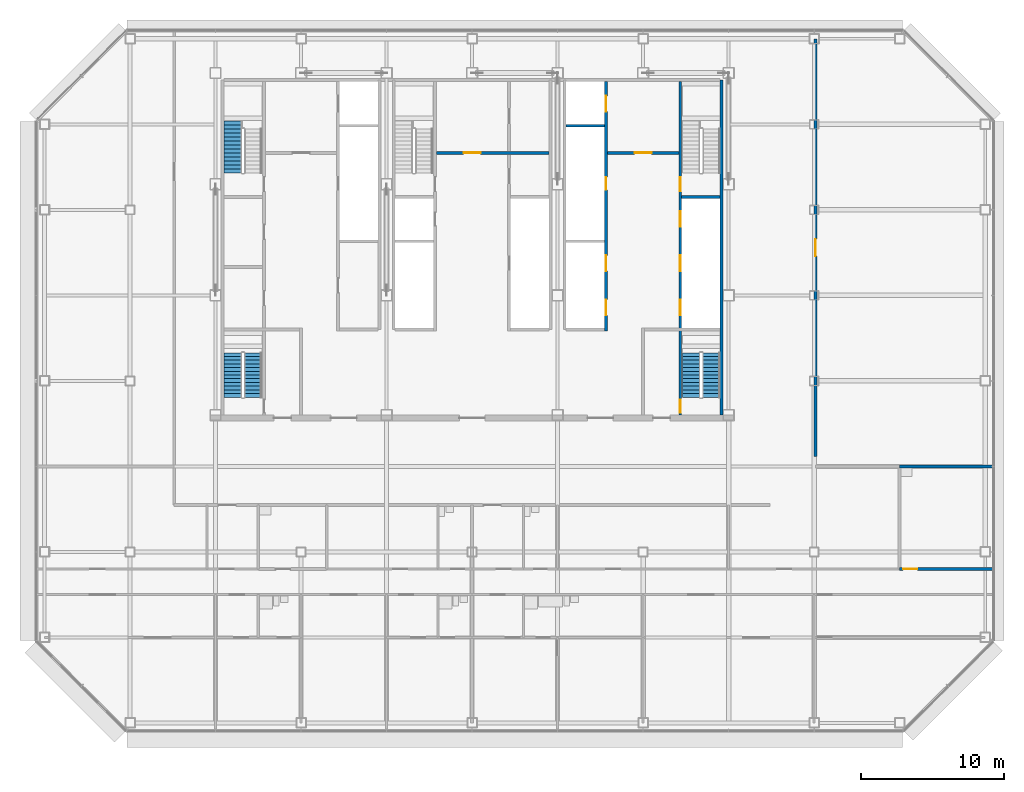
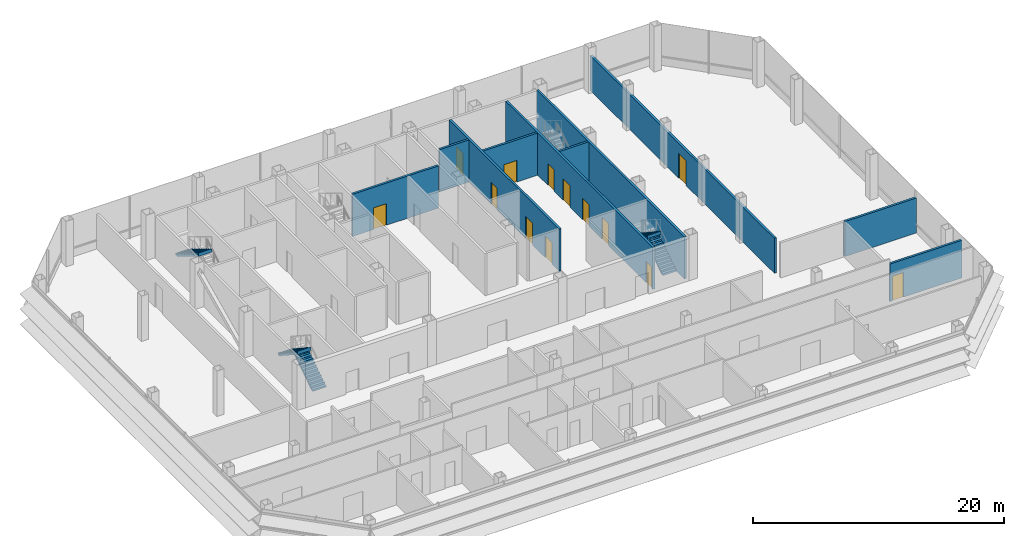
# One storey, part 22 of 26: 13 doors, 10 walls, 5 stair flights, 13 openings, 3 elements without a shape of their own.
"""IFC4 building model written with IfcOpenShell, lengths in metres."""

from ifc_helpers import new_model, si_unit, direction, frame, frame_2d, origin, place, context, subcontext, project, spatial, polyline, rectangle, outline, extrude, material, layer, layer_set, type_object, element, fill, aggregate, save


model = new_model("IFC4")

# Units and contexts
model_context = context("Model", 3, precision=1e-05, world=origin(), true_north=direction((0.0, 1.0)))
body_context = subcontext(model_context, "Body", "Model", "MODEL_VIEW")
ifc_project = project(units=[si_unit("LENGTHUNIT", "METRE"), si_unit("AREAUNIT", "SQUARE_METRE"), si_unit("VOLUMEUNIT", "CUBIC_METRE"), si_unit("PLANEANGLEUNIT", "RADIAN"), si_unit("MASSUNIT", "GRAM", prefix="KILO")], contexts=[model_context])

# Site, building, storey
site_placement = place(None, origin())
site = spatial("IfcSite", under=ifc_project, at=site_placement, CompositionType="ELEMENT")
building_placement = place(site_placement, origin())
building = spatial("IfcBuilding", under=site, at=building_placement, Name="Sorahane Residences", CompositionType="ELEMENT")
storey_placement = place(building_placement, frame((0.0, 0.0, 181.60009765625)))
storey = spatial("IfcBuildingStorey", under=building, at=storey_placement, Name="L42", CompositionType="ELEMENT", Elevation=181.60009765625)

# Wall
ifc_material_1 = material(Name="Concrete C30", Category="concrete")
ifc_layer_1 = layer(ifc_material_1, 0.199951171875)
ifc_layer_set_1 = layer_set([ifc_layer_1], Name="Core face wall 200 EI 180")
wall_type_1 = type_object("IfcWallType", Name="Core face wall 200 EI 180", PredefinedType="SOLIDWALL", material=ifc_layer_set_1)
wall_1_placement = place(storey_placement, frame((41.5, 21.60009765625, 0.0), z_axis=(0.0, 0.0, 1.0), x_axis=(0.0, 1.0, 0.0)))
element("IfcWall", 1, at=wall_1_placement, inside=storey, type_object=wall_type_1, Name="L42 core face wall", PredefinedType="SOLIDWALL", context=body_context, shape_type="SweptSolid", body=[
    extrude(rectangle(XDim=23.5, YDim=0.199951171875, at=frame_2d((11.75, 0.0))), origin(), (0.0, 0.0, 1.0), 4.099853515625),
])

# Wall, opening, door
ifc_material_2 = material(Name="Concrete blockwork C20 wall", Category="masonry")
ifc_layer_2 = layer(ifc_material_2, 0.199951171875)
ifc_layer_set_2 = layer_set([ifc_layer_2], Name="Corridor wall 200 EI 120")
wall_type_2 = type_object("IfcWallType", Name="Corridor wall 200 EI 120", PredefinedType="SOLIDWALL", material=ifc_layer_set_2)
wall_2_placement = place(storey_placement, frame((48.10009765625, 18.699951171875, 0.0), z_axis=(0.0, 0.0, 1.0), x_axis=(0.0, 1.0, 0.0)))
wall_2 = element("IfcWall", 2, at=wall_2_placement, inside=storey, type_object=wall_type_2, Name="L42 corridor wall", PredefinedType="SOLIDWALL", context=body_context, shape_type="SweptSolid", body=[
    extrude(rectangle(XDim=29.300048828125, YDim=0.199951171875, at=frame_2d((14.64990234375, 0.0))), origin(), (0.0, 0.0, 1.0), 3.39990234375),
])
opening_1_placement = place(wall_2_placement, frame((14.050048828125, 0.0, 0.0)))
opening_1 = element("IfcOpeningElement", 3, at=opening_1_placement, cuts=wall_2, Name="Opening L42-31", PredefinedType="OPENING", context=body_context, shape_type="SweptSolid", body=[
    extrude(rectangle(XDim=1.199951171875, YDim=2.39990234375, at=frame_2d((0.60009765625, 1.199951171875))), frame((0.0, 0.10986328125, 0.0), z_axis=(0.0, -1.0, 0.0), x_axis=(1.0, 0.0, 0.0)), (0.0, 0.0, 1.0), 0.219970703125),
])
ifc_material_3 = material(Name="Steel", Category="steel")
door_type_1 = type_object("IfcDoorType", Name="Lobby door 1200x2400 FD60", OperationType="NOTDEFINED", PredefinedType="DOOR", material=ifc_material_3)
door_1_placement = place(opening_1_placement, frame((1.199951171875, 0.0, 0.0), z_axis=(0.0, 0.0, 1.0), x_axis=(-1.0, 0.0, 0.0)))
door_1 = element("IfcDoor", 4, at=door_1_placement, inside=storey, type_object=door_type_1, Name="Lobby door L42-31", OperationType="SINGLE_SWING_RIGHT", OverallHeight=2.39990234375, OverallWidth=1.199951171875, PredefinedType="DOOR", context=body_context, shape_type="SweptSolid", body=[
    extrude(rectangle(XDim=1.199951171875, YDim=2.39990234375, at=frame_2d((0.60009765625, 1.199951171875))), frame((0.0, 0.02490234375, 0.0), z_axis=(0.0, -1.0, 0.0), x_axis=(1.0, 0.0, 0.0)), (0.0, 0.0, 1.0), 0.050048828125),
])
fill(opening_1, door_1)

ifc_material_4 = material(Name="Concrete C30", Category="concrete")
ifc_layer_3 = layer(ifc_material_4, 0.199951171875)
ifc_layer_set_3 = layer_set([ifc_layer_3], Name="Front room wall 200 EI 120")
wall_type_3 = type_object("IfcWallType", Name="Front room wall 200 EI 120", PredefinedType="PARTITIONING", material=ifc_layer_set_3)
wall_3_placement = place(storey_placement, frame((21.5, 40.0, 0.0), z_axis=(0.0, 0.0, 1.0), x_axis=(1.0, 0.0, 0.0)))
wall_3 = element("IfcWall", 5, at=wall_3_placement, inside=storey, type_object=wall_type_3, Name="L42 front room wall", PredefinedType="PARTITIONING", context=body_context, shape_type="SweptSolid", body=[
    extrude(rectangle(XDim=7.89990234375, YDim=0.199951171875, at=frame_2d((3.949951171875, 0.0))), origin(), (0.0, 0.0, 1.0), 4.099853515625),
])
opening_2_placement = place(wall_3_placement, frame((1.89990234375, 0.0, 0.0)))
opening_2 = element("IfcOpeningElement", 6, at=opening_2_placement, cuts=wall_3, Name="Opening L42-C07", PredefinedType="OPENING", context=body_context, shape_type="SweptSolid", body=[
    extrude(rectangle(XDim=1.199951171875, YDim=2.10009765625, at=frame_2d((0.60009765625, 1.050048828125))), frame((0.0, 0.10986328125, 0.0), z_axis=(0.0, -1.0, 0.0), x_axis=(1.0, 0.0, 0.0)), (0.0, 0.0, 1.0), 0.219970703125),
])
ifc_material_5 = material(Name="Steel", Category="steel")
door_type_2 = type_object("IfcDoorType", Name="Front room door 1200x2100 FD120", OperationType="NOTDEFINED", PredefinedType="DOOR", material=ifc_material_5)
door_2_placement = place(opening_2_placement, frame((1.199951171875, 0.0, 0.0), z_axis=(0.0, 0.0, 1.0), x_axis=(-1.0, 0.0, 0.0)))
door_2 = element("IfcDoor", 7, at=door_2_placement, inside=storey, type_object=door_type_2, Name="Front room door Stair S3 vestibule L42", OperationType="DOUBLE_DOOR_SINGLE_SWING", OverallHeight=2.10009765625, OverallWidth=1.199951171875, PredefinedType="DOOR", context=body_context, shape_type="SweptSolid", body=[
    extrude(rectangle(XDim=1.199951171875, YDim=2.10009765625, at=frame_2d((0.60009765625, 1.050048828125))), frame((0.0, 0.02490234375, 0.0), z_axis=(0.0, -1.0, 0.0), x_axis=(1.0, 0.0, 0.0)), (0.0, 0.0, 1.0), 0.050048828125),
])
fill(opening_2, door_2)

wall_4_placement = place(storey_placement, frame((33.5, 40.0, 0.0), z_axis=(0.0, 0.0, 1.0), x_axis=(1.0, 0.0, 0.0)))
wall_4 = element("IfcWall", 8, at=wall_4_placement, inside=storey, type_object=wall_type_3, Name="L42 front room wall", PredefinedType="PARTITIONING", context=body_context, shape_type="SweptSolid", body=[
    extrude(rectangle(XDim=5.0, YDim=0.199951171875, at=frame_2d((2.5, 0.0))), origin(), (0.0, 0.0, 1.0), 4.099853515625),
])
opening_3_placement = place(wall_4_placement, frame((1.89990234375, 0.0, 0.0)))
opening_3 = element("IfcOpeningElement", 9, at=opening_3_placement, cuts=wall_4, Name="Opening L42-C08", PredefinedType="OPENING", context=body_context, shape_type="SweptSolid", body=[
    extrude(rectangle(XDim=1.199951171875, YDim=2.10009765625, at=frame_2d((0.60009765625, 1.050048828125))), frame((0.0, 0.10986328125, 0.0), z_axis=(0.0, -1.0, 0.0), x_axis=(1.0, 0.0, 0.0)), (0.0, 0.0, 1.0), 0.219970703125),
])
door_3_placement = place(opening_3_placement, frame((1.199951171875, 0.0, 0.0), z_axis=(0.0, 0.0, 1.0), x_axis=(-1.0, 0.0, 0.0)))
door_3 = element("IfcDoor", 10, at=door_3_placement, inside=storey, type_object=door_type_2, Name="Front room door Firefighting lobby FF2 front room L42", OperationType="DOUBLE_DOOR_SINGLE_SWING", OverallHeight=2.10009765625, OverallWidth=1.199951171875, PredefinedType="DOOR", context=body_context, shape_type="SweptSolid", body=[
    extrude(rectangle(XDim=1.199951171875, YDim=2.10009765625, at=frame_2d((0.60009765625, 1.050048828125))), frame((0.0, 0.02490234375, 0.0), z_axis=(0.0, -1.0, 0.0), x_axis=(1.0, 0.0, 0.0)), (0.0, 0.0, 1.0), 0.050048828125),
])
fill(opening_3, door_3)

ifc_material_6 = material(Name="Concrete blockwork C20 wall", Category="masonry")
ifc_layer_4 = layer(ifc_material_6, 0.199951171875)
ifc_layer_set_4 = layer_set([ifc_layer_4], Name="Kitchen wall 200 EI 180")
wall_type_4 = type_object("IfcWallType", Name="Kitchen wall 200 EI 180", PredefinedType="SOLIDWALL", material=ifc_layer_set_4)
wall_5_placement = place(storey_placement, frame((54.0, 10.800048828125, 0.0), z_axis=(0.0, 0.0, 1.0), x_axis=(1.0, 0.0, 0.0)))
wall_5 = element("IfcWall", 11, at=wall_5_placement, inside=storey, type_object=wall_type_4, Name="L42 kitchen wall", PredefinedType="SOLIDWALL", context=body_context, shape_type="SweptSolid", body=[
    extrude(rectangle(XDim=6.60009765625, YDim=0.199951171875, at=frame_2d((3.300048828125, 0.0))), origin(), (0.0, 0.0, 1.0), 3.64990234375),
])
opening_4_placement = place(wall_5_placement, frame((0.25, 0.0, 0.0)))
opening_4 = element("IfcOpeningElement", 12, at=opening_4_placement, cuts=wall_5, Name="Opening L42-19", PredefinedType="OPENING", context=body_context, shape_type="SweptSolid", body=[
    extrude(rectangle(XDim=1.0, YDim=2.39990234375, at=frame_2d((0.5, 1.199951171875))), frame((0.0, 0.10986328125, 0.0), z_axis=(0.0, -1.0, 0.0), x_axis=(1.0, 0.0, 0.0)), (0.0, 0.0, 1.0), 0.219970703125),
])
ifc_material_7 = material(Name="Steel", Category="steel")
door_type_3 = type_object("IfcDoorType", Name="Kitchen door 1000x2400 FD120", OperationType="NOTDEFINED", PredefinedType="DOOR", material=ifc_material_7)
door_4_placement = place(opening_4_placement, origin())
door_4 = element("IfcDoor", 13, at=door_4_placement, inside=storey, type_object=door_type_3, Name="Kitchen door L42-19", OperationType="SINGLE_SWING_LEFT", OverallHeight=2.39990234375, OverallWidth=1.0, PredefinedType="DOOR", context=body_context, shape_type="SweptSolid", body=[
    extrude(rectangle(XDim=1.0, YDim=2.39990234375, at=frame_2d((0.5, 1.199951171875))), frame((0.0, 0.02490234375, 0.0), z_axis=(0.0, -1.0, 0.0), x_axis=(1.0, 0.0, 0.0)), (0.0, 0.0, 1.0), 0.050048828125),
])
fill(opening_4, door_4)

# Wall
wall_6_placement = place(storey_placement, frame((54.0, 18.0, 0.0), z_axis=(0.0, 0.0, 1.0), x_axis=(1.0, 0.0, 0.0)))
element("IfcWall", 14, at=wall_6_placement, inside=storey, type_object=wall_type_4, Name="L42 kitchen wall", PredefinedType="SOLIDWALL", context=body_context, shape_type="SweptSolid", body=[
    extrude(rectangle(XDim=6.60009765625, YDim=0.199951171875, at=frame_2d((3.300048828125, 0.0))), origin(), (0.0, 0.0, 1.0), 3.39990234375),
])

# Wall, openings, doors
ifc_material_8 = material(Name="Concrete C30", Category="concrete")
ifc_layer_5 = layer(ifc_material_8, 0.199951171875)
ifc_layer_set_5 = layer_set([ifc_layer_5], Name="Lift shaft wall 200 EI 120")
wall_type_5 = type_object("IfcWallType", Name="Lift shaft wall 200 EI 120", PredefinedType="SOLIDWALL", material=ifc_layer_set_5)
wall_7_placement = place(storey_placement, frame((33.39990234375, 27.5, 0.0), z_axis=(0.0, 0.0, 1.0), x_axis=(0.0, 1.0, 0.0)))
wall_7 = element("IfcWall", 15, at=wall_7_placement, inside=storey, type_object=wall_type_5, Name="L42 lift shaft wall", PredefinedType="SOLIDWALL", context=body_context, shape_type="SweptSolid", body=[
    extrude(rectangle(XDim=17.5, YDim=0.199951171875, at=frame_2d((8.75, 0.0))), origin(), (0.0, 0.0, 1.0), 4.099853515625),
])
opening_5_placement = place(wall_7_placement, frame((1.10009765625, 0.0, 0.0)))
opening_5 = element("IfcOpeningElement", 16, at=opening_5_placement, cuts=wall_7, Name="Opening L42-C12", PredefinedType="OPENING", context=body_context, shape_type="SweptSolid", body=[
    extrude(rectangle(XDim=1.10009765625, YDim=2.10009765625, at=frame_2d((0.550048828125, 1.050048828125))), frame((0.0, 0.10986328125, 0.0), z_axis=(0.0, -1.0, 0.0), x_axis=(1.0, 0.0, 0.0)), (0.0, 0.0, 1.0), 0.219970703125),
])
opening_6_placement = place(wall_7_placement, frame((4.199951171875, 0.0, 0.0)))
opening_6 = element("IfcOpeningElement", 17, at=opening_6_placement, cuts=wall_7, Name="Opening L42-C13", PredefinedType="OPENING", context=body_context, shape_type="SweptSolid", body=[
    extrude(rectangle(XDim=1.10009765625, YDim=2.10009765625, at=frame_2d((0.550048828125, 1.050048828125))), frame((0.0, 0.10986328125, 0.0), z_axis=(0.0, -1.0, 0.0), x_axis=(1.0, 0.0, 0.0)), (0.0, 0.0, 1.0), 0.219970703125),
])
opening_7_placement = place(wall_7_placement, frame((15.39990234375, 0.0, 0.0)))
opening_7 = element("IfcOpeningElement", 18, at=opening_7_placement, cuts=wall_7, Name="Opening L42-C14", PredefinedType="OPENING", context=body_context, shape_type="SweptSolid", body=[
    extrude(rectangle(XDim=1.10009765625, YDim=2.10009765625, at=frame_2d((0.550048828125, 1.050048828125))), frame((0.0, 0.10986328125, 0.0), z_axis=(0.0, -1.0, 0.0), x_axis=(1.0, 0.0, 0.0)), (0.0, 0.0, 1.0), 0.219970703125),
])
opening_8_placement = place(wall_7_placement, frame((9.89990234375, 0.0, 0.0)))
opening_8 = element("IfcOpeningElement", 19, at=opening_8_placement, cuts=wall_7, Name="Opening L42-C25", PredefinedType="OPENING", context=body_context, shape_type="SweptSolid", body=[
    extrude(rectangle(XDim=0.89990234375, YDim=2.10009765625, at=frame_2d((0.449951171875, 1.050048828125))), frame((0.0, 0.10986328125, 0.0), z_axis=(0.0, -1.0, 0.0), x_axis=(1.0, 0.0, 0.0)), (0.0, 0.0, 1.0), 0.219970703125),
])
ifc_material_9 = material(Name="Aluminium and stainless steel", Category="steel")
door_type_4 = type_object("IfcDoorType", Name="Lift landing door 1100x2100 E 60", OperationType="NOTDEFINED", PredefinedType="DOOR", material=ifc_material_9)
door_5_placement = place(opening_5_placement, origin())
door_5 = element("IfcDoor", 20, at=door_5_placement, inside=storey, type_object=door_type_4, Name="Lift landing door HR4 L42", OperationType="DOUBLE_DOOR_SLIDING", OverallHeight=2.10009765625, OverallWidth=1.10009765625, PredefinedType="DOOR", context=body_context, shape_type="SweptSolid", body=[
    extrude(rectangle(XDim=1.10009765625, YDim=2.10009765625, at=frame_2d((0.550048828125, 1.050048828125))), frame((0.0, 0.02490234375, 0.0), z_axis=(0.0, -1.0, 0.0), x_axis=(1.0, 0.0, 0.0)), (0.0, 0.0, 1.0), 0.050048828125),
])
fill(opening_5, door_5)
door_6_placement = place(opening_6_placement, origin())
door_6 = element("IfcDoor", 21, at=door_6_placement, inside=storey, type_object=door_type_4, Name="Lift landing door HR5 L42", OperationType="DOUBLE_DOOR_SLIDING", OverallHeight=2.10009765625, OverallWidth=1.10009765625, PredefinedType="DOOR", context=body_context, shape_type="SweptSolid", body=[
    extrude(rectangle(XDim=1.10009765625, YDim=2.10009765625, at=frame_2d((0.550048828125, 1.050048828125))), frame((0.0, 0.02490234375, 0.0), z_axis=(0.0, -1.0, 0.0), x_axis=(1.0, 0.0, 0.0)), (0.0, 0.0, 1.0), 0.050048828125),
])
fill(opening_6, door_6)
door_7_placement = place(opening_7_placement, origin())
door_7 = element("IfcDoor", 22, at=door_7_placement, inside=storey, type_object=door_type_4, Name="Lift landing door FF2 L42", OperationType="DOUBLE_DOOR_SLIDING", OverallHeight=2.10009765625, OverallWidth=1.10009765625, PredefinedType="DOOR", context=body_context, shape_type="SweptSolid", body=[
    extrude(rectangle(XDim=1.10009765625, YDim=2.10009765625, at=frame_2d((0.550048828125, 1.050048828125))), frame((0.0, 0.02490234375, 0.0), z_axis=(0.0, -1.0, 0.0), x_axis=(1.0, 0.0, 0.0)), (0.0, 0.0, 1.0), 0.050048828125),
])
fill(opening_7, door_7)
ifc_material_10 = material(Name="Steel", Category="steel")
door_type_5 = type_object("IfcDoorType", Name="Riser door 900x2100 FD120", OperationType="NOTDEFINED", PredefinedType="DOOR", material=ifc_material_10)
door_8_placement = place(opening_8_placement, frame((0.89990234375, 0.0, 0.0), z_axis=(0.0, 0.0, 1.0), x_axis=(-1.0, 0.0, 0.0)))
door_8 = element("IfcDoor", 23, at=door_8_placement, inside=storey, type_object=door_type_5, Name="Riser door R2 L42", OperationType="SINGLE_SWING_LEFT", OverallHeight=2.10009765625, OverallWidth=0.89990234375, PredefinedType="DOOR", context=body_context, shape_type="SweptSolid", body=[
    extrude(rectangle(XDim=0.89990234375, YDim=2.10009765625, at=frame_2d((0.449951171875, 1.050048828125))), frame((0.0, 0.02490234375, 0.0), z_axis=(0.0, -1.0, 0.0), x_axis=(1.0, 0.0, 0.0)), (0.0, 0.0, 1.0), 0.050048828125),
])
fill(opening_8, door_8)

# Wall
wall_8_placement = place(storey_placement, frame((30.60009765625, 41.89990234375, 0.0), z_axis=(0.0, 0.0, 1.0), x_axis=(1.0, 0.0, 0.0)))
element("IfcWall", 24, at=wall_8_placement, inside=storey, type_object=wall_type_5, Name="L42 lift shaft wall", PredefinedType="SOLIDWALL", context=body_context, shape_type="SweptSolid", body=[
    extrude(rectangle(XDim=2.699951171875, YDim=0.199951171875, at=frame_2d((1.35009765625, 0.0))), origin(), (0.0, 0.0, 1.0), 4.099853515625),
])

# Wall, openings, doors
ifc_material_11 = material(Name="Concrete C30", Category="concrete")
ifc_layer_6 = layer(ifc_material_11, 0.199951171875)
ifc_layer_set_6 = layer_set([ifc_layer_6], Name="Stair enclosure wall 200 EI 120")
wall_type_6 = type_object("IfcWallType", Name="Stair enclosure wall 200 EI 120", PredefinedType="SOLIDWALL", material=ifc_layer_set_6)
wall_9_placement = place(storey_placement, frame((38.60009765625, 21.60009765625, 0.0), z_axis=(0.0, 0.0, 1.0), x_axis=(0.0, 1.0, 0.0)))
wall_9 = element("IfcWall", 25, at=wall_9_placement, inside=storey, type_object=wall_type_6, Name="L42 stair enclosure wall", PredefinedType="SOLIDWALL", context=body_context, shape_type="SweptSolid", body=[
    extrude(rectangle(XDim=23.39990234375, YDim=0.199951171875, at=frame_2d((11.699951171875, 0.0))), origin(), (0.0, 0.0, 1.0), 4.099853515625),
])
opening_9_placement = place(wall_9_placement, frame((7.0, 0.0, 0.0)))
opening_9 = element("IfcOpeningElement", 26, at=opening_9_placement, cuts=wall_9, Name="Opening L42-C09", PredefinedType="OPENING", context=body_context, shape_type="SweptSolid", body=[
    extrude(rectangle(XDim=1.10009765625, YDim=2.10009765625, at=frame_2d((0.550048828125, 1.050048828125))), frame((0.0, 0.10986328125, 0.0), z_axis=(0.0, -1.0, 0.0), x_axis=(1.0, 0.0, 0.0)), (0.0, 0.0, 1.0), 0.219970703125),
])
opening_10_placement = place(wall_9_placement, frame((10.10009765625, 0.0, 0.0)))
opening_10 = element("IfcOpeningElement", 27, at=opening_10_placement, cuts=wall_9, Name="Opening L42-C10", PredefinedType="OPENING", context=body_context, shape_type="SweptSolid", body=[
    extrude(rectangle(XDim=1.10009765625, YDim=2.10009765625, at=frame_2d((0.550048828125, 1.050048828125))), frame((0.0, 0.10986328125, 0.0), z_axis=(0.0, -1.0, 0.0), x_axis=(1.0, 0.0, 0.0)), (0.0, 0.0, 1.0), 0.219970703125),
])
opening_11_placement = place(wall_9_placement, frame((13.199951171875, 0.0, 0.0)))
opening_11 = element("IfcOpeningElement", 28, at=opening_11_placement, cuts=wall_9, Name="Opening L42-C11", PredefinedType="OPENING", context=body_context, shape_type="SweptSolid", body=[
    extrude(rectangle(XDim=1.10009765625, YDim=2.10009765625, at=frame_2d((0.550048828125, 1.050048828125))), frame((0.0, 0.10986328125, 0.0), z_axis=(0.0, -1.0, 0.0), x_axis=(1.0, 0.0, 0.0)), (0.0, 0.0, 1.0), 0.219970703125),
])
opening_12_placement = place(wall_9_placement, frame((15.699951171875, 0.0, 0.0)))
opening_12 = element("IfcOpeningElement", 29, at=opening_12_placement, cuts=wall_9, Name="Opening L42-C20", PredefinedType="OPENING", context=body_context, shape_type="SweptSolid", body=[
    extrude(rectangle(XDim=1.0, YDim=2.10009765625, at=frame_2d((0.5, 1.050048828125))), frame((0.0, 0.10986328125, 0.0), z_axis=(0.0, -1.0, 0.0), x_axis=(1.0, 0.0, 0.0)), (0.0, 0.0, 1.0), 0.219970703125),
])
opening_13_placement = place(wall_9_placement, frame((0.175048828125, 0.0, 0.0)))
opening_13 = element("IfcOpeningElement", 30, at=opening_13_placement, cuts=wall_9, Name="Opening L42-C23", PredefinedType="OPENING", context=body_context, shape_type="SweptSolid", body=[
    extrude(rectangle(XDim=0.89990234375, YDim=2.10009765625, at=frame_2d((0.449951171875, 1.050048828125))), frame((0.0, 0.10986328125, 0.0), z_axis=(0.0, -1.0, 0.0), x_axis=(1.0, 0.0, 0.0)), (0.0, 0.0, 1.0), 0.219970703125),
])
door_9_placement = place(opening_9_placement, origin())
door_9 = element("IfcDoor", 31, at=door_9_placement, inside=storey, type_object=door_type_4, Name="Lift landing door HR1 L42", OperationType="DOUBLE_DOOR_SLIDING", OverallHeight=2.10009765625, OverallWidth=1.10009765625, PredefinedType="DOOR", context=body_context, shape_type="SweptSolid", body=[
    extrude(rectangle(XDim=1.10009765625, YDim=2.10009765625, at=frame_2d((0.550048828125, 1.050048828125))), frame((0.0, 0.02490234375, 0.0), z_axis=(0.0, -1.0, 0.0), x_axis=(1.0, 0.0, 0.0)), (0.0, 0.0, 1.0), 0.050048828125),
])
fill(opening_9, door_9)
door_10_placement = place(opening_10_placement, origin())
door_10 = element("IfcDoor", 32, at=door_10_placement, inside=storey, type_object=door_type_4, Name="Lift landing door HR2 L42", OperationType="DOUBLE_DOOR_SLIDING", OverallHeight=2.10009765625, OverallWidth=1.10009765625, PredefinedType="DOOR", context=body_context, shape_type="SweptSolid", body=[
    extrude(rectangle(XDim=1.10009765625, YDim=2.10009765625, at=frame_2d((0.550048828125, 1.050048828125))), frame((0.0, 0.02490234375, 0.0), z_axis=(0.0, -1.0, 0.0), x_axis=(1.0, 0.0, 0.0)), (0.0, 0.0, 1.0), 0.050048828125),
])
fill(opening_10, door_10)
door_11_placement = place(opening_11_placement, origin())
door_11 = element("IfcDoor", 33, at=door_11_placement, inside=storey, type_object=door_type_4, Name="Lift landing door HR3 L42", OperationType="DOUBLE_DOOR_SLIDING", OverallHeight=2.10009765625, OverallWidth=1.10009765625, PredefinedType="DOOR", context=body_context, shape_type="SweptSolid", body=[
    extrude(rectangle(XDim=1.10009765625, YDim=2.10009765625, at=frame_2d((0.550048828125, 1.050048828125))), frame((0.0, 0.02490234375, 0.0), z_axis=(0.0, -1.0, 0.0), x_axis=(1.0, 0.0, 0.0)), (0.0, 0.0, 1.0), 0.050048828125),
])
fill(opening_11, door_11)
ifc_material_12 = material(Name="Steel", Category="steel")
door_type_6 = type_object("IfcDoorType", Name="Stair door 1000x2100 FD120", OperationType="NOTDEFINED", PredefinedType="DOOR", material=ifc_material_12)
door_12_placement = place(opening_12_placement, frame((1.0, 0.0, 0.0), z_axis=(0.0, 0.0, 1.0), x_axis=(-1.0, 0.0, 0.0)))
door_12 = element("IfcDoor", 34, at=door_12_placement, inside=storey, type_object=door_type_6, Name="Stair door S2 L42", OperationType="SINGLE_SWING_LEFT", OverallHeight=2.10009765625, OverallWidth=1.0, PredefinedType="DOOR", context=body_context, shape_type="SweptSolid", body=[
    extrude(rectangle(XDim=1.0, YDim=2.10009765625, at=frame_2d((0.5, 1.050048828125))), frame((0.0, 0.02490234375, 0.0), z_axis=(0.0, -1.0, 0.0), x_axis=(1.0, 0.0, 0.0)), (0.0, 0.0, 1.0), 0.050048828125),
])
fill(opening_12, door_12)
ifc_material_13 = material(Name="Steel", Category="steel")
door_type_7 = type_object("IfcDoorType", Name="Stair door 900x2100 FD120", OperationType="NOTDEFINED", PredefinedType="DOOR", material=ifc_material_13)
door_13_placement = place(opening_13_placement, frame((0.89990234375, 0.0, 0.0), z_axis=(0.0, 0.0, 1.0), x_axis=(-1.0, 0.0, 0.0)))
door_13 = element("IfcDoor", 35, at=door_13_placement, inside=storey, type_object=door_type_7, Name="Stair door S5 L42", OperationType="SINGLE_SWING_LEFT", OverallHeight=2.10009765625, OverallWidth=0.89990234375, PredefinedType="DOOR", context=body_context, shape_type="SweptSolid", body=[
    extrude(rectangle(XDim=0.89990234375, YDim=2.10009765625, at=frame_2d((0.449951171875, 1.050048828125))), frame((0.0, 0.02490234375, 0.0), z_axis=(0.0, -1.0, 0.0), x_axis=(1.0, 0.0, 0.0)), (0.0, 0.0, 1.0), 0.050048828125),
])
fill(opening_13, door_13)

# Wall
wall_10_placement = place(storey_placement, frame((38.699951171875, 36.89990234375, 0.0), z_axis=(0.0, 0.0, 1.0), x_axis=(1.0, 0.0, 0.0)))
element("IfcWall", 36, at=wall_10_placement, inside=storey, type_object=wall_type_6, Name="L42 stair enclosure wall", PredefinedType="SOLIDWALL", context=body_context, shape_type="SweptSolid", body=[
    extrude(rectangle(XDim=2.699951171875, YDim=0.199951171875, at=frame_2d((1.35009765625, 0.0))), origin(), (0.0, 0.0, 1.0), 4.099853515625),
])

# Stair, stair flight
ifc_material_14 = material(Name="Concrete C40", Category="concrete")
stair_type = type_object("IfcStairType", Name="Dog-leg stair 1250 Concrete C40", PredefinedType="HALF_TURN_STAIR", material=ifc_material_14)
stair_1_placement = place(storey_placement, origin())
stair_1 = element("IfcStair", 37, at=stair_1_placement, inside=storey, type_object=stair_type, Name="L42 Stair S1", PredefinedType="HALF_TURN_STAIR")
ifc_material_15 = material(Name="Concrete C40", Category="concrete")
stair_flight_type = type_object("IfcStairFlightType", Name="Stair flight 1250 Concrete C40", PredefinedType="STRAIGHT", material=ifc_material_15)
stair_flight_1_placement = place(storey_placement, frame((7.22509765625, 42.239990234375, 2.03076171875), z_axis=(0.0, 0.0, 1.0), x_axis=(0.0, -1.0, 0.0)))
stair_flight_1 = element("IfcStairFlight", 38, at=stair_flight_1_placement, type_object=stair_flight_type, Name="S1 flight 2", NumberOfRisers=14, NumberOfTreads=13, PredefinedType="STRAIGHT", RiserHeight=0.169230769, TreadLength=0.28, context=body_context, shape_type="SweptSolid", body=[
    extrude(outline(polyline([(-0.00146484375, 0.0), (-0.00146484375, 0.169189453125), (0.0, 0.169189453125), (0.280029296875, 0.169189453125), (0.280029296875, 0.33837890625), (0.56005859375, 0.33837890625), (0.56005859375, 0.5078125), (0.840087890625, 0.5078125), (0.840087890625, 0.677001953125), (1.1201171875, 0.677001953125), (1.1201171875, 0.84619140625), (1.39990234375, 0.84619140625), (1.39990234375, 1.015380859375), (1.679931640625, 1.015380859375), (1.679931640625, 1.1845703125), (1.9599609375, 1.1845703125), (1.9599609375, 1.353759765625), (2.239990234375, 1.353759765625), (2.239990234375, 1.523193359375), (2.52001953125, 1.523193359375), (2.52001953125, 1.6923828125), (2.800048828125, 1.6923828125), (2.800048828125, 1.861572265625), (3.080078125, 1.861572265625), (3.080078125, 2.03076171875), (3.360107421875, 2.03076171875), (3.360107421875, 2.199951171875), (3.639892578125, 2.199951171875), (3.639892578125, 2.369140625), (3.6416015625, 2.369140625), (3.6416015625, 2.02490234375), (3.41796875, 1.889892578125), (3.194580078125, 1.7548828125), (2.97119140625, 1.619873046875), (2.747802734375, 1.48486328125), (2.524169921875, 1.349853515625), (2.30078125, 1.21484375), (2.077392578125, 1.079833984375), (1.85400390625, 0.94482421875), (1.63037109375, 0.81005859375), (1.406982421875, 0.675048828125), (1.18359375, 0.5400390625), (0.960205078125, 0.405029296875), (0.73681640625, 0.27001953125), (0.51318359375, 0.135009765625), (0.289794921875, 0.0), (-0.00146484375, 0.0)])), frame((0.0, 0.625, 0.0), z_axis=(0.0, -1.0, 0.0), x_axis=(1.0, 0.0, 0.0)), (0.0, 0.0, 1.0), 1.25),
])
aggregate(stair_1, [stair_flight_1])

# Stair, stair flights
stair_2_placement = place(storey_placement, origin())
stair_2 = element("IfcStair", 39, at=stair_2_placement, inside=storey, type_object=stair_type, Name="L42 Stair S4", PredefinedType="HALF_TURN_STAIR")
stair_flight_2_placement = place(storey_placement, frame((8.625, 22.85009765625, 0.0), z_axis=(0.0, 0.0, 1.0), x_axis=(0.0, 1.0, 0.0)))
stair_flight_2 = element("IfcStairFlight", 40, at=stair_flight_2_placement, type_object=stair_flight_type, Name="S4 flight 1", NumberOfRisers=13, NumberOfTreads=12, PredefinedType="STRAIGHT", RiserHeight=0.169230769, TreadLength=0.26, context=body_context, shape_type="SweptSolid", body=[
    extrude(outline(polyline([(-0.00146484375, 0.0), (-0.00146484375, 0.169189453125), (0.0, 0.169189453125), (0.260009765625, 0.169189453125), (0.260009765625, 0.33837890625), (0.52001953125, 0.33837890625), (0.52001953125, 0.5078125), (0.780029296875, 0.5078125), (0.780029296875, 0.677001953125), (1.0400390625, 0.677001953125), (1.0400390625, 0.84619140625), (1.300048828125, 0.84619140625), (1.300048828125, 1.015380859375), (1.56005859375, 1.015380859375), (1.56005859375, 1.1845703125), (1.820068359375, 1.1845703125), (1.820068359375, 1.353759765625), (2.080078125, 1.353759765625), (2.080078125, 1.523193359375), (2.340087890625, 1.523193359375), (2.340087890625, 1.6923828125), (2.60009765625, 1.6923828125), (2.60009765625, 1.861572265625), (2.860107421875, 1.861572265625), (2.860107421875, 2.03076171875), (3.1201171875, 2.03076171875), (3.1201171875, 2.199951171875), (3.1201171875, 1.887451171875), (2.912841796875, 1.752685546875), (2.705810546875, 1.617919921875), (2.49853515625, 1.48291015625), (2.29150390625, 1.34814453125), (2.08447265625, 1.21337890625), (1.877197265625, 1.07861328125), (1.670166015625, 0.943603515625), (1.462890625, 0.808837890625), (1.255859375, 0.674072265625), (1.048828125, 0.539306640625), (0.841552734375, 0.404541015625), (0.634521484375, 0.26953125), (0.42724609375, 0.134765625), (0.22021484375, 0.0), (-0.00146484375, 0.0)])), frame((0.0, 0.625, 0.0), z_axis=(0.0, -1.0, 0.0), x_axis=(1.0, 0.0, 0.0)), (0.0, 0.0, 1.0), 1.25),
])
stair_flight_3_placement = place(storey_placement, frame((7.22509765625, 25.969970703125, 2.199951171875), z_axis=(0.0, 0.0, 1.0), x_axis=(0.0, -1.0, 0.0)))
stair_flight_3 = element("IfcStairFlight", 41, at=stair_flight_3_placement, type_object=stair_flight_type, Name="S4 flight 2", NumberOfRisers=13, NumberOfTreads=12, PredefinedType="STRAIGHT", RiserHeight=0.169230769, TreadLength=0.26, context=body_context, shape_type="SweptSolid", body=[
    extrude(outline(polyline([(0.0, 0.0), (0.0, 0.169189453125), (0.260009765625, 0.169189453125), (0.260009765625, 0.33837890625), (0.52001953125, 0.33837890625), (0.52001953125, 0.5078125), (0.780029296875, 0.5078125), (0.780029296875, 0.677001953125), (1.0400390625, 0.677001953125), (1.0400390625, 0.84619140625), (1.300048828125, 0.84619140625), (1.300048828125, 1.015380859375), (1.56005859375, 1.015380859375), (1.56005859375, 1.1845703125), (1.820068359375, 1.1845703125), (1.820068359375, 1.353759765625), (2.080078125, 1.353759765625), (2.080078125, 1.523193359375), (2.340087890625, 1.523193359375), (2.340087890625, 1.6923828125), (2.60009765625, 1.6923828125), (2.60009765625, 1.861572265625), (2.860107421875, 1.861572265625), (2.860107421875, 2.03076171875), (3.1201171875, 2.03076171875), (3.1201171875, 2.199951171875), (3.12158203125, 2.199951171875), (3.12158203125, 1.887451171875), (2.914306640625, 1.752685546875), (2.70703125, 1.617919921875), (2.499755859375, 1.48291015625), (2.29248046875, 1.34814453125), (2.085205078125, 1.21337890625), (1.878173828125, 1.07861328125), (1.6708984375, 0.943603515625), (1.463623046875, 0.808837890625), (1.25634765625, 0.674072265625), (1.049072265625, 0.539306640625), (0.841796875, 0.404541015625), (0.634765625, 0.26953125), (0.427490234375, 0.134765625), (0.22021484375, 0.0), (0.0, 0.0)])), frame((0.0, 0.625, 0.0), z_axis=(0.0, -1.0, 0.0), x_axis=(1.0, 0.0, 0.0)), (0.0, 0.0, 1.0), 1.25),
])
aggregate(stair_2, [stair_flight_2, stair_flight_3])

stair_3_placement = place(storey_placement, origin())
stair_3 = element("IfcStair", 42, at=stair_3_placement, inside=storey, type_object=stair_type, Name="L42 Stair S5", PredefinedType="HALF_TURN_STAIR")
stair_flight_4_placement = place(storey_placement, frame((40.77490234375, 22.85009765625, 0.0), z_axis=(0.0, 0.0, 1.0), x_axis=(0.0, 1.0, 0.0)))
stair_flight_4 = element("IfcStairFlight", 43, at=stair_flight_4_placement, type_object=stair_flight_type, Name="S5 flight 1", NumberOfRisers=13, NumberOfTreads=12, PredefinedType="STRAIGHT", RiserHeight=0.169230769, TreadLength=0.26, context=body_context, shape_type="SweptSolid", body=[
    extrude(outline(polyline([(-0.00146484375, 0.0), (-0.00146484375, 0.169189453125), (0.0, 0.169189453125), (0.260009765625, 0.169189453125), (0.260009765625, 0.33837890625), (0.52001953125, 0.33837890625), (0.52001953125, 0.5078125), (0.780029296875, 0.5078125), (0.780029296875, 0.677001953125), (1.0400390625, 0.677001953125), (1.0400390625, 0.84619140625), (1.300048828125, 0.84619140625), (1.300048828125, 1.015380859375), (1.56005859375, 1.015380859375), (1.56005859375, 1.1845703125), (1.820068359375, 1.1845703125), (1.820068359375, 1.353759765625), (2.080078125, 1.353759765625), (2.080078125, 1.523193359375), (2.340087890625, 1.523193359375), (2.340087890625, 1.6923828125), (2.60009765625, 1.6923828125), (2.60009765625, 1.861572265625), (2.860107421875, 1.861572265625), (2.860107421875, 2.03076171875), (3.1201171875, 2.03076171875), (3.1201171875, 2.199951171875), (3.1201171875, 1.887451171875), (2.912841796875, 1.752685546875), (2.705810546875, 1.617919921875), (2.49853515625, 1.48291015625), (2.29150390625, 1.34814453125), (2.08447265625, 1.21337890625), (1.877197265625, 1.07861328125), (1.670166015625, 0.943603515625), (1.462890625, 0.808837890625), (1.255859375, 0.674072265625), (1.048828125, 0.539306640625), (0.841552734375, 0.404541015625), (0.634521484375, 0.26953125), (0.42724609375, 0.134765625), (0.22021484375, 0.0), (-0.00146484375, 0.0)])), frame((0.0, 0.625, 0.0), z_axis=(0.0, -1.0, 0.0), x_axis=(1.0, 0.0, 0.0)), (0.0, 0.0, 1.0), 1.25),
])
stair_flight_5_placement = place(storey_placement, frame((39.375, 25.969970703125, 2.199951171875), z_axis=(0.0, 0.0, 1.0), x_axis=(0.0, -1.0, 0.0)))
stair_flight_5 = element("IfcStairFlight", 44, at=stair_flight_5_placement, type_object=stair_flight_type, Name="S5 flight 2", NumberOfRisers=13, NumberOfTreads=12, PredefinedType="STRAIGHT", RiserHeight=0.169230769, TreadLength=0.26, context=body_context, shape_type="SweptSolid", body=[
    extrude(outline(polyline([(0.0, 0.0), (0.0, 0.169189453125), (0.260009765625, 0.169189453125), (0.260009765625, 0.33837890625), (0.52001953125, 0.33837890625), (0.52001953125, 0.5078125), (0.780029296875, 0.5078125), (0.780029296875, 0.677001953125), (1.0400390625, 0.677001953125), (1.0400390625, 0.84619140625), (1.300048828125, 0.84619140625), (1.300048828125, 1.015380859375), (1.56005859375, 1.015380859375), (1.56005859375, 1.1845703125), (1.820068359375, 1.1845703125), (1.820068359375, 1.353759765625), (2.080078125, 1.353759765625), (2.080078125, 1.523193359375), (2.340087890625, 1.523193359375), (2.340087890625, 1.6923828125), (2.60009765625, 1.6923828125), (2.60009765625, 1.861572265625), (2.860107421875, 1.861572265625), (2.860107421875, 2.03076171875), (3.1201171875, 2.03076171875), (3.1201171875, 2.199951171875), (3.12158203125, 2.199951171875), (3.12158203125, 1.887451171875), (2.914306640625, 1.752685546875), (2.70703125, 1.617919921875), (2.499755859375, 1.48291015625), (2.29248046875, 1.34814453125), (2.085205078125, 1.21337890625), (1.878173828125, 1.07861328125), (1.6708984375, 0.943603515625), (1.463623046875, 0.808837890625), (1.25634765625, 0.674072265625), (1.049072265625, 0.539306640625), (0.841796875, 0.404541015625), (0.634765625, 0.26953125), (0.427490234375, 0.134765625), (0.22021484375, 0.0), (0.0, 0.0)])), frame((0.0, 0.625, 0.0), z_axis=(0.0, -1.0, 0.0), x_axis=(1.0, 0.0, 0.0)), (0.0, 0.0, 1.0), 1.25),
])
aggregate(stair_3, [stair_flight_4, stair_flight_5])

save(model, "model.ifc")
